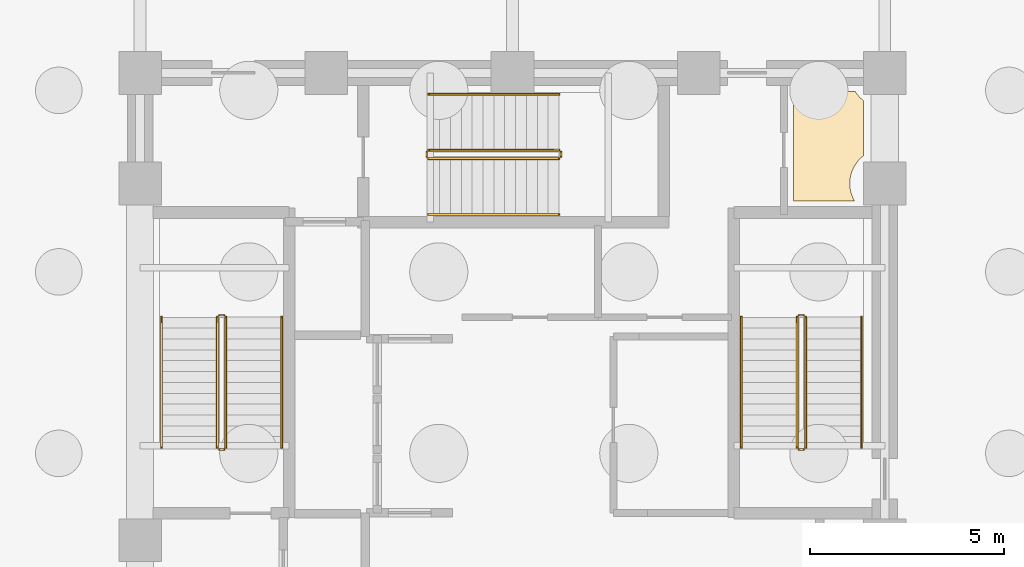
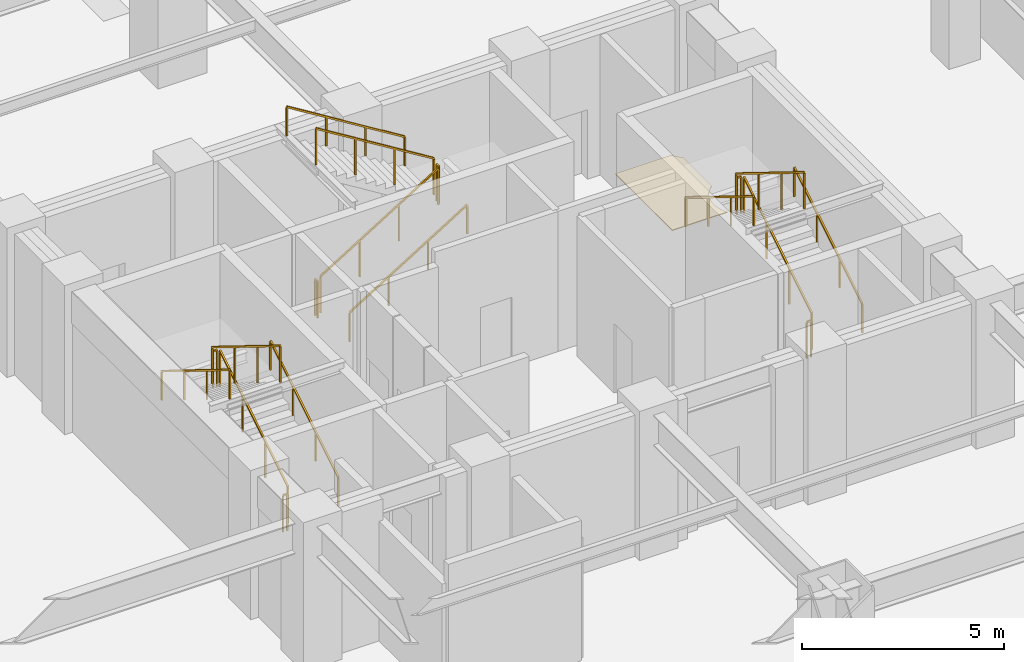
# One storey, part 9 of 12: 18 railings, 1 covering.
"""IFC4 building model written with IfcOpenShell, lengths in metres."""

from ifc_helpers import new_model, si_unit, direction, frame, origin, origin_2d, place, context, subcontext, project, spatial, polyline, rectangle, outline, extrude, material, layer, layer_set, type_object, element, save


model = new_model("IFC4")

# Units and contexts
model_context = context("Model", 3, precision=1e-05, world=origin(), true_north=direction((0.0, 1.0)))
body_context = subcontext(model_context, "Body", "Model", "MODEL_VIEW")
ifc_project = project(units=[si_unit("LENGTHUNIT", "METRE"), si_unit("AREAUNIT", "SQUARE_METRE"), si_unit("VOLUMEUNIT", "CUBIC_METRE"), si_unit("PLANEANGLEUNIT", "RADIAN"), si_unit("MASSUNIT", "GRAM", prefix="KILO")], contexts=[model_context])

# Site, building, storey
site_placement = place(None, origin())
site = spatial("IfcSite", under=ifc_project, at=site_placement, CompositionType="ELEMENT")
building_placement = place(site_placement, origin())
building = spatial("IfcBuilding", under=site, at=building_placement, Name="Vantalir Tower", CompositionType="ELEMENT")
storey_placement = place(building_placement, frame((0.0, 0.0, -9.0)))
storey = spatial("IfcBuildingStorey", under=building, at=storey_placement, Name="B02", CompositionType="ELEMENT", Elevation=-9.0)

# Covering
ifc_material_1 = material(Name="Tropical teak timber and terrazzo floor finish", Category="wood")
ifc_layer = layer(ifc_material_1, 0.02490234375)
ifc_layer_set = layer_set([ifc_layer], Name="Tropical teak timber and terrazzo floor finish")
covering_type = type_object("IfcCoveringType", Name="COV-TIMBER-STONE-25", PredefinedType="FLOORING", material=ifc_layer_set)
covering_placement = place(storey_placement, origin())
element("IfcCovering", 1, at=covering_placement, inside=storey, type_object=covering_type, Name="B02 Core Electrical Switchroom Floor Finish", PredefinedType="FLOORING", context=body_context, shape_type="SweptSolid", body=[
    extrude(outline(polyline([(40.550048828125, 31.738037109375), (40.528076171875, 31.75390625), (40.462890625, 31.81298828125), (40.404052734375, 31.8779296875), (40.35107421875, 31.948974609375), (40.342041015625, 31.965087890625), (38.75, 31.965087890625), (38.75, 29.14990234375), (40.321044921875, 29.14990234375), (40.304931640625, 29.175048828125), (40.26806640625, 29.2548828125), (40.238037109375, 29.337890625), (40.216064453125, 29.424072265625), (40.202880859375, 29.511962890625), (40.198974609375, 29.60009765625), (40.202880859375, 29.68798828125), (40.216064453125, 29.77587890625), (40.238037109375, 29.862060546875), (40.26806640625, 29.945068359375), (40.304931640625, 30.02490234375), (40.35107421875, 30.10107421875), (40.404052734375, 30.172119140625), (40.462890625, 30.237060546875), (40.528076171875, 30.2958984375), (40.550048828125, 30.31201171875), (40.550048828125, 31.738037109375)])), origin(), (0.0, 0.0, 1.0), 0.02490234375),
])

# Railings
ifc_material_2 = material(Name="Anodised aluminium and stainless steel guard", Category="steel")
railing_type_1 = type_object("IfcRailingType", Name="RAL-GUARD-1120", PredefinedType="GUARDRAIL", material=ifc_material_2)
railing_1_placement = place(storey_placement, frame((24.110107421875, 22.7900390625, 0.173095703125)))
element("IfcRailing", 2, at=railing_1_placement, inside=storey, type_object=railing_type_1, Name="B02 ST1 stair guard 1", PredefinedType="GUARDRAIL", context=body_context, shape_type="SweptSolid", body=[
    extrude(rectangle(XDim=0.048095703125, YDim=0.048095703125, at=origin_2d()), frame((0.0, 0.0, 1.09619140625), z_axis=(0.0, 0.850606129759, 0.525803396734), x_axis=(-1.0, 0.0, 0.0)), (0.0, 0.0, 1.0), 3.949951171875),
    extrude(rectangle(XDim=0.0419921875, YDim=0.0419921875, at=origin_2d()), origin(), (0.0, 0.0, 1.0), 1.072021484375),
    extrude(rectangle(XDim=0.0419921875, YDim=0.0419921875, at=origin_2d()), frame((0.0, 1.119873046875, 0.6923828125)), (0.0, 0.0, 1.0), 1.072021484375),
    extrude(rectangle(XDim=0.0419921875, YDim=0.0419921875, at=origin_2d()), frame((0.0, 2.239990234375, 1.384521484375)), (0.0, 0.0, 1.0), 1.072021484375),
    extrude(rectangle(XDim=0.0419921875, YDim=0.0419921875, at=origin_2d()), frame((0.0, 3.35986328125, 2.076904296875)), (0.0, 0.0, 1.0), 1.072021484375),
])
railing_2_placement = place(storey_placement, frame((24.06005859375, 26.199951171875, 2.25)))
element("IfcRailing", 3, at=railing_2_placement, inside=storey, type_object=railing_type_1, Name="B02 ST1 stair guard 2", PredefinedType="GUARDRAIL", context=body_context, shape_type="SweptSolid", body=[
    extrude(rectangle(XDim=0.048095703125, YDim=0.048095703125, at=origin_2d()), frame((0.0, 0.0, 1.09619140625), z_axis=(-1.0, 0.0, 0.0), x_axis=(0.0, -1.0, 0.0)), (0.0, 0.0, 1.0), 0.1201171875),
    extrude(rectangle(XDim=0.0419921875, YDim=0.0419921875, at=origin_2d()), origin(), (0.0, 0.0, 1.0), 1.072021484375),
    extrude(rectangle(XDim=0.0419921875, YDim=0.0419921875, at=origin_2d()), frame((-0.1201171875, 0.0, 0.0)), (0.0, 0.0, 1.0), 1.072021484375),
])
railing_3_placement = place(storey_placement, frame((23.889892578125, 26.14990234375, 2.423095703125)))
element("IfcRailing", 4, at=railing_3_placement, inside=storey, type_object=railing_type_1, Name="B02 ST1 stair guard 3", PredefinedType="GUARDRAIL", context=body_context, shape_type="SweptSolid", body=[
    extrude(rectangle(XDim=0.048095703125, YDim=0.048095703125, at=origin_2d()), frame((0.0, 0.0, 1.09619140625), z_axis=(0.0, -0.850606129759, 0.525803396734), x_axis=(1.0, 0.0, 0.0)), (0.0, 0.0, 1.0), 3.949951171875),
    extrude(rectangle(XDim=0.0419921875, YDim=0.0419921875, at=origin_2d()), origin(), (0.0, 0.0, 1.0), 1.072021484375),
    extrude(rectangle(XDim=0.0419921875, YDim=0.0419921875, at=origin_2d()), frame((0.0, -1.119873046875, 0.6923828125)), (0.0, 0.0, 1.0), 1.072021484375),
    extrude(rectangle(XDim=0.0419921875, YDim=0.0419921875, at=origin_2d()), frame((0.0, -2.239990234375, 1.384521484375)), (0.0, 0.0, 1.0), 1.072021484375),
    extrude(rectangle(XDim=0.0419921875, YDim=0.0419921875, at=origin_2d()), frame((0.0, -3.35986328125, 2.076904296875)), (0.0, 0.0, 1.0), 1.072021484375),
])
railing_4_placement = place(storey_placement, frame((24.06005859375, 22.739990234375, 0.0)))
element("IfcRailing", 5, at=railing_4_placement, inside=storey, type_object=railing_type_1, Name="B02 ST1 stair guard 4", PredefinedType="GUARDRAIL", context=body_context, shape_type="SweptSolid", body=[
    extrude(rectangle(XDim=0.048095703125, YDim=0.048095703125, at=origin_2d()), frame((0.0, 0.0, 1.09619140625), z_axis=(-1.0, 0.0, 0.0), x_axis=(0.0, -1.0, 0.0)), (0.0, 0.0, 1.0), 0.1201171875),
    extrude(rectangle(XDim=0.0419921875, YDim=0.0419921875, at=origin_2d()), origin(), (0.0, 0.0, 1.0), 1.072021484375),
    extrude(rectangle(XDim=0.0419921875, YDim=0.0419921875, at=origin_2d()), frame((-0.1201171875, 0.0, 0.0)), (0.0, 0.0, 1.0), 1.072021484375),
])
railing_5_placement = place(storey_placement, frame((39.06005859375, 22.7900390625, 0.173095703125)))
element("IfcRailing", 6, at=railing_5_placement, inside=storey, type_object=railing_type_1, Name="B02 ST2 stair guard 1", PredefinedType="GUARDRAIL", context=body_context, shape_type="SweptSolid", body=[
    extrude(rectangle(XDim=0.048095703125, YDim=0.048095703125, at=origin_2d()), frame((0.0, 0.0, 1.09619140625), z_axis=(0.0, 0.850606129759, 0.525803396734), x_axis=(-1.0, 0.0, 0.0)), (0.0, 0.0, 1.0), 3.949951171875),
    extrude(rectangle(XDim=0.0419921875, YDim=0.0419921875, at=origin_2d()), origin(), (0.0, 0.0, 1.0), 1.072021484375),
    extrude(rectangle(XDim=0.0419921875, YDim=0.0419921875, at=origin_2d()), frame((0.0, 1.119873046875, 0.6923828125)), (0.0, 0.0, 1.0), 1.072021484375),
    extrude(rectangle(XDim=0.0419921875, YDim=0.0419921875, at=origin_2d()), frame((0.0, 2.239990234375, 1.384521484375)), (0.0, 0.0, 1.0), 1.072021484375),
    extrude(rectangle(XDim=0.0419921875, YDim=0.0419921875, at=origin_2d()), frame((0.0, 3.35986328125, 2.076904296875)), (0.0, 0.0, 1.0), 1.072021484375),
])
railing_6_placement = place(storey_placement, frame((39.010009765625, 26.199951171875, 2.25)))
element("IfcRailing", 7, at=railing_6_placement, inside=storey, type_object=railing_type_1, Name="B02 ST2 stair guard 2", PredefinedType="GUARDRAIL", context=body_context, shape_type="SweptSolid", body=[
    extrude(rectangle(XDim=0.048095703125, YDim=0.048095703125, at=origin_2d()), frame((0.0, 0.0, 1.09619140625), z_axis=(-1.0, 0.0, 0.0), x_axis=(0.0, -1.0, 0.0)), (0.0, 0.0, 1.0), 0.1201171875),
    extrude(rectangle(XDim=0.0419921875, YDim=0.0419921875, at=origin_2d()), origin(), (0.0, 0.0, 1.0), 1.072021484375),
    extrude(rectangle(XDim=0.0419921875, YDim=0.0419921875, at=origin_2d()), frame((-0.1201171875, 0.0, 0.0)), (0.0, 0.0, 1.0), 1.072021484375),
])
railing_7_placement = place(storey_placement, frame((38.840087890625, 26.14990234375, 2.423095703125)))
element("IfcRailing", 8, at=railing_7_placement, inside=storey, type_object=railing_type_1, Name="B02 ST2 stair guard 3", PredefinedType="GUARDRAIL", context=body_context, shape_type="SweptSolid", body=[
    extrude(rectangle(XDim=0.048095703125, YDim=0.048095703125, at=origin_2d()), frame((0.0, 0.0, 1.09619140625), z_axis=(0.0, -0.850606129759, 0.525803396734), x_axis=(1.0, 0.0, 0.0)), (0.0, 0.0, 1.0), 3.949951171875),
    extrude(rectangle(XDim=0.0419921875, YDim=0.0419921875, at=origin_2d()), origin(), (0.0, 0.0, 1.0), 1.072021484375),
    extrude(rectangle(XDim=0.0419921875, YDim=0.0419921875, at=origin_2d()), frame((0.0, -1.119873046875, 0.6923828125)), (0.0, 0.0, 1.0), 1.072021484375),
    extrude(rectangle(XDim=0.0419921875, YDim=0.0419921875, at=origin_2d()), frame((0.0, -2.239990234375, 1.384521484375)), (0.0, 0.0, 1.0), 1.072021484375),
    extrude(rectangle(XDim=0.0419921875, YDim=0.0419921875, at=origin_2d()), frame((0.0, -3.35986328125, 2.076904296875)), (0.0, 0.0, 1.0), 1.072021484375),
])
railing_8_placement = place(storey_placement, frame((39.010009765625, 22.739990234375, 0.0)))
element("IfcRailing", 9, at=railing_8_placement, inside=storey, type_object=railing_type_1, Name="B02 ST2 stair guard 4", PredefinedType="GUARDRAIL", context=body_context, shape_type="SweptSolid", body=[
    extrude(rectangle(XDim=0.048095703125, YDim=0.048095703125, at=origin_2d()), frame((0.0, 0.0, 1.09619140625), z_axis=(-1.0, 0.0, 0.0), x_axis=(0.0, -1.0, 0.0)), (0.0, 0.0, 1.0), 0.1201171875),
    extrude(rectangle(XDim=0.0419921875, YDim=0.0419921875, at=origin_2d()), origin(), (0.0, 0.0, 1.0), 1.072021484375),
    extrude(rectangle(XDim=0.0419921875, YDim=0.0419921875, at=origin_2d()), frame((-0.1201171875, 0.0, 0.0)), (0.0, 0.0, 1.0), 1.072021484375),
])
railing_9_placement = place(storey_placement, frame((29.340087890625, 30.239990234375, 0.173095703125)))
element("IfcRailing", 10, at=railing_9_placement, inside=storey, type_object=railing_type_1, Name="B02 ST3 stair guard 1", PredefinedType="GUARDRAIL", context=body_context, shape_type="SweptSolid", body=[
    extrude(rectangle(XDim=0.048095703125, YDim=0.048095703125, at=origin_2d()), frame((0.0, 0.0, 1.09619140625), z_axis=(0.850606129759, 0.0, 0.525803396734), x_axis=(0.0, 1.0, 0.0)), (0.0, 0.0, 1.0), 3.949951171875),
    extrude(rectangle(XDim=0.0419921875, YDim=0.0419921875, at=origin_2d()), origin(), (0.0, 0.0, 1.0), 1.072021484375),
    extrude(rectangle(XDim=0.0419921875, YDim=0.0419921875, at=origin_2d()), frame((1.119873046875, 0.0, 0.6923828125)), (0.0, 0.0, 1.0), 1.072021484375),
    extrude(rectangle(XDim=0.0419921875, YDim=0.0419921875, at=origin_2d()), frame((2.239990234375, 0.0, 1.384521484375)), (0.0, 0.0, 1.0), 1.072021484375),
    extrude(rectangle(XDim=0.0419921875, YDim=0.0419921875, at=origin_2d()), frame((3.35986328125, 0.0, 2.076904296875)), (0.0, 0.0, 1.0), 1.072021484375),
])
railing_10_placement = place(storey_placement, frame((32.75, 30.2900390625, 2.25)))
element("IfcRailing", 11, at=railing_10_placement, inside=storey, type_object=railing_type_1, Name="B02 ST3 stair guard 2", PredefinedType="GUARDRAIL", context=body_context, shape_type="SweptSolid", body=[
    extrude(rectangle(XDim=0.048095703125, YDim=0.048095703125, at=origin_2d()), frame((0.0, 0.0, 1.09619140625), z_axis=(0.0, 1.0, 0.0), x_axis=(-1.0, 0.0, 0.0)), (0.0, 0.0, 1.0), 0.119873046875),
    extrude(rectangle(XDim=0.0419921875, YDim=0.0419921875, at=origin_2d()), origin(), (0.0, 0.0, 1.0), 1.072021484375),
    extrude(rectangle(XDim=0.0419921875, YDim=0.0419921875, at=origin_2d()), frame((0.0, 0.119873046875, 0.0)), (0.0, 0.0, 1.0), 1.072021484375),
])
railing_11_placement = place(storey_placement, frame((32.699951171875, 30.4599609375, 2.423095703125)))
element("IfcRailing", 12, at=railing_11_placement, inside=storey, type_object=railing_type_1, Name="B02 ST3 stair guard 3", PredefinedType="GUARDRAIL", context=body_context, shape_type="SweptSolid", body=[
    extrude(rectangle(XDim=0.048095703125, YDim=0.048095703125, at=origin_2d()), frame((0.0, 0.0, 1.09619140625), z_axis=(-0.850606129759, 0.0, 0.525803396734), x_axis=(0.0, -1.0, 0.0)), (0.0, 0.0, 1.0), 3.949951171875),
    extrude(rectangle(XDim=0.0419921875, YDim=0.0419921875, at=origin_2d()), origin(), (0.0, 0.0, 1.0), 1.072021484375),
    extrude(rectangle(XDim=0.0419921875, YDim=0.0419921875, at=origin_2d()), frame((-1.119873046875, 0.0, 0.6923828125)), (0.0, 0.0, 1.0), 1.072021484375),
    extrude(rectangle(XDim=0.0419921875, YDim=0.0419921875, at=origin_2d()), frame((-2.239990234375, 0.0, 1.384521484375)), (0.0, 0.0, 1.0), 1.072021484375),
    extrude(rectangle(XDim=0.0419921875, YDim=0.0419921875, at=origin_2d()), frame((-3.35986328125, 0.0, 2.076904296875)), (0.0, 0.0, 1.0), 1.072021484375),
])
railing_12_placement = place(storey_placement, frame((29.2900390625, 30.2900390625, 0.0)))
element("IfcRailing", 13, at=railing_12_placement, inside=storey, type_object=railing_type_1, Name="B02 ST3 stair guard 4", PredefinedType="GUARDRAIL", context=body_context, shape_type="SweptSolid", body=[
    extrude(rectangle(XDim=0.048095703125, YDim=0.048095703125, at=origin_2d()), frame((0.0, 0.0, 1.09619140625), z_axis=(0.0, 1.0, 0.0), x_axis=(-1.0, 0.0, 0.0)), (0.0, 0.0, 1.0), 0.119873046875),
    extrude(rectangle(XDim=0.0419921875, YDim=0.0419921875, at=origin_2d()), origin(), (0.0, 0.0, 1.0), 1.072021484375),
    extrude(rectangle(XDim=0.0419921875, YDim=0.0419921875, at=origin_2d()), frame((0.0, 0.119873046875, 0.0)), (0.0, 0.0, 1.0), 1.072021484375),
])
ifc_material_3 = material(Name="Brushed stainless steel tubular handrail", Category="steel")
railing_type_2 = type_object("IfcRailingType", Name="RAL-HANDRAIL-900", PredefinedType="HANDRAIL", material=ifc_material_3)
railing_13_placement = place(storey_placement, frame((25.550048828125, 22.7900390625, 0.173095703125)))
element("IfcRailing", 14, at=railing_13_placement, inside=storey, type_object=railing_type_2, Name="B02 ST1 stair handrail 1", PredefinedType="HANDRAIL", context=body_context, shape_type="SweptSolid", body=[
    extrude(rectangle(XDim=0.048095703125, YDim=0.048095703125, at=origin_2d()), frame((0.0, 0.0, 0.8759765625), z_axis=(0.0, 0.850606129759, 0.525803396734), x_axis=(-1.0, 0.0, 0.0)), (0.0, 0.0, 1.0), 3.949951171875),
    extrude(rectangle(XDim=0.0419921875, YDim=0.0419921875, at=origin_2d()), origin(), (0.0, 0.0, 1.0), 0.851806640625),
    extrude(rectangle(XDim=0.0419921875, YDim=0.0419921875, at=origin_2d()), frame((0.0, 1.119873046875, 0.6923828125)), (0.0, 0.0, 1.0), 0.851806640625),
    extrude(rectangle(XDim=0.0419921875, YDim=0.0419921875, at=origin_2d()), frame((0.0, 2.239990234375, 1.384521484375)), (0.0, 0.0, 1.0), 0.851806640625),
    extrude(rectangle(XDim=0.0419921875, YDim=0.0419921875, at=origin_2d()), frame((0.0, 3.35986328125, 2.076904296875)), (0.0, 0.0, 1.0), 0.851806640625),
])
railing_14_placement = place(storey_placement, frame((22.449951171875, 26.14990234375, 2.423095703125)))
element("IfcRailing", 15, at=railing_14_placement, inside=storey, type_object=railing_type_2, Name="B02 ST1 stair handrail 2", PredefinedType="HANDRAIL", context=body_context, shape_type="SweptSolid", body=[
    extrude(rectangle(XDim=0.048095703125, YDim=0.048095703125, at=origin_2d()), frame((0.0, 0.0, 0.8759765625), z_axis=(0.0, -0.850606129759, 0.525803396734), x_axis=(1.0, 0.0, 0.0)), (0.0, 0.0, 1.0), 3.949951171875),
    extrude(rectangle(XDim=0.0419921875, YDim=0.0419921875, at=origin_2d()), origin(), (0.0, 0.0, 1.0), 0.851806640625),
    extrude(rectangle(XDim=0.0419921875, YDim=0.0419921875, at=origin_2d()), frame((0.0, -1.119873046875, 0.6923828125)), (0.0, 0.0, 1.0), 0.851806640625),
    extrude(rectangle(XDim=0.0419921875, YDim=0.0419921875, at=origin_2d()), frame((0.0, -2.239990234375, 1.384521484375)), (0.0, 0.0, 1.0), 0.851806640625),
    extrude(rectangle(XDim=0.0419921875, YDim=0.0419921875, at=origin_2d()), frame((0.0, -3.35986328125, 2.076904296875)), (0.0, 0.0, 1.0), 0.851806640625),
])
railing_15_placement = place(storey_placement, frame((40.5, 22.7900390625, 0.173095703125)))
element("IfcRailing", 16, at=railing_15_placement, inside=storey, type_object=railing_type_2, Name="B02 ST2 stair handrail 1", PredefinedType="HANDRAIL", context=body_context, shape_type="SweptSolid", body=[
    extrude(rectangle(XDim=0.048095703125, YDim=0.048095703125, at=origin_2d()), frame((0.0, 0.0, 0.8759765625), z_axis=(0.0, 0.850606129759, 0.525803396734), x_axis=(-1.0, 0.0, 0.0)), (0.0, 0.0, 1.0), 3.949951171875),
    extrude(rectangle(XDim=0.0419921875, YDim=0.0419921875, at=origin_2d()), origin(), (0.0, 0.0, 1.0), 0.851806640625),
    extrude(rectangle(XDim=0.0419921875, YDim=0.0419921875, at=origin_2d()), frame((0.0, 1.119873046875, 0.6923828125)), (0.0, 0.0, 1.0), 0.851806640625),
    extrude(rectangle(XDim=0.0419921875, YDim=0.0419921875, at=origin_2d()), frame((0.0, 2.239990234375, 1.384521484375)), (0.0, 0.0, 1.0), 0.851806640625),
    extrude(rectangle(XDim=0.0419921875, YDim=0.0419921875, at=origin_2d()), frame((0.0, 3.35986328125, 2.076904296875)), (0.0, 0.0, 1.0), 0.851806640625),
])
railing_16_placement = place(storey_placement, frame((37.39990234375, 26.14990234375, 2.423095703125)))
element("IfcRailing", 17, at=railing_16_placement, inside=storey, type_object=railing_type_2, Name="B02 ST2 stair handrail 2", PredefinedType="HANDRAIL", context=body_context, shape_type="SweptSolid", body=[
    extrude(rectangle(XDim=0.048095703125, YDim=0.048095703125, at=origin_2d()), frame((0.0, 0.0, 0.8759765625), z_axis=(0.0, -0.850606129759, 0.525803396734), x_axis=(1.0, 0.0, 0.0)), (0.0, 0.0, 1.0), 3.949951171875),
    extrude(rectangle(XDim=0.0419921875, YDim=0.0419921875, at=origin_2d()), origin(), (0.0, 0.0, 1.0), 0.851806640625),
    extrude(rectangle(XDim=0.0419921875, YDim=0.0419921875, at=origin_2d()), frame((0.0, -1.119873046875, 0.6923828125)), (0.0, 0.0, 1.0), 0.851806640625),
    extrude(rectangle(XDim=0.0419921875, YDim=0.0419921875, at=origin_2d()), frame((0.0, -2.239990234375, 1.384521484375)), (0.0, 0.0, 1.0), 0.851806640625),
    extrude(rectangle(XDim=0.0419921875, YDim=0.0419921875, at=origin_2d()), frame((0.0, -3.35986328125, 2.076904296875)), (0.0, 0.0, 1.0), 0.851806640625),
])
railing_17_placement = place(storey_placement, frame((29.340087890625, 28.800048828125, 0.173095703125)))
element("IfcRailing", 18, at=railing_17_placement, inside=storey, type_object=railing_type_2, Name="B02 ST3 stair handrail 1", PredefinedType="HANDRAIL", context=body_context, shape_type="SweptSolid", body=[
    extrude(rectangle(XDim=0.048095703125, YDim=0.048095703125, at=origin_2d()), frame((0.0, 0.0, 0.8759765625), z_axis=(0.850606129759, 0.0, 0.525803396734), x_axis=(0.0, 1.0, 0.0)), (0.0, 0.0, 1.0), 3.949951171875),
    extrude(rectangle(XDim=0.0419921875, YDim=0.0419921875, at=origin_2d()), origin(), (0.0, 0.0, 1.0), 0.851806640625),
    extrude(rectangle(XDim=0.0419921875, YDim=0.0419921875, at=origin_2d()), frame((1.119873046875, 0.0, 0.6923828125)), (0.0, 0.0, 1.0), 0.851806640625),
    extrude(rectangle(XDim=0.0419921875, YDim=0.0419921875, at=origin_2d()), frame((2.239990234375, 0.0, 1.384521484375)), (0.0, 0.0, 1.0), 0.851806640625),
    extrude(rectangle(XDim=0.0419921875, YDim=0.0419921875, at=origin_2d()), frame((3.35986328125, 0.0, 2.076904296875)), (0.0, 0.0, 1.0), 0.851806640625),
])
railing_18_placement = place(storey_placement, frame((32.699951171875, 31.89990234375, 2.423095703125)))
element("IfcRailing", 19, at=railing_18_placement, inside=storey, type_object=railing_type_2, Name="B02 ST3 stair handrail 2", PredefinedType="HANDRAIL", context=body_context, shape_type="SweptSolid", body=[
    extrude(rectangle(XDim=0.048095703125, YDim=0.048095703125, at=origin_2d()), frame((0.0, 0.0, 0.8759765625), z_axis=(-0.850606129759, 0.0, 0.525803396734), x_axis=(0.0, -1.0, 0.0)), (0.0, 0.0, 1.0), 3.949951171875),
    extrude(rectangle(XDim=0.0419921875, YDim=0.0419921875, at=origin_2d()), origin(), (0.0, 0.0, 1.0), 0.851806640625),
    extrude(rectangle(XDim=0.0419921875, YDim=0.0419921875, at=origin_2d()), frame((-1.119873046875, 0.0, 0.6923828125)), (0.0, 0.0, 1.0), 0.851806640625),
    extrude(rectangle(XDim=0.0419921875, YDim=0.0419921875, at=origin_2d()), frame((-2.239990234375, 0.0, 1.384521484375)), (0.0, 0.0, 1.0), 0.851806640625),
    extrude(rectangle(XDim=0.0419921875, YDim=0.0419921875, at=origin_2d()), frame((-3.35986328125, 0.0, 2.076904296875)), (0.0, 0.0, 1.0), 0.851806640625),
])

save(model, "model.ifc")
